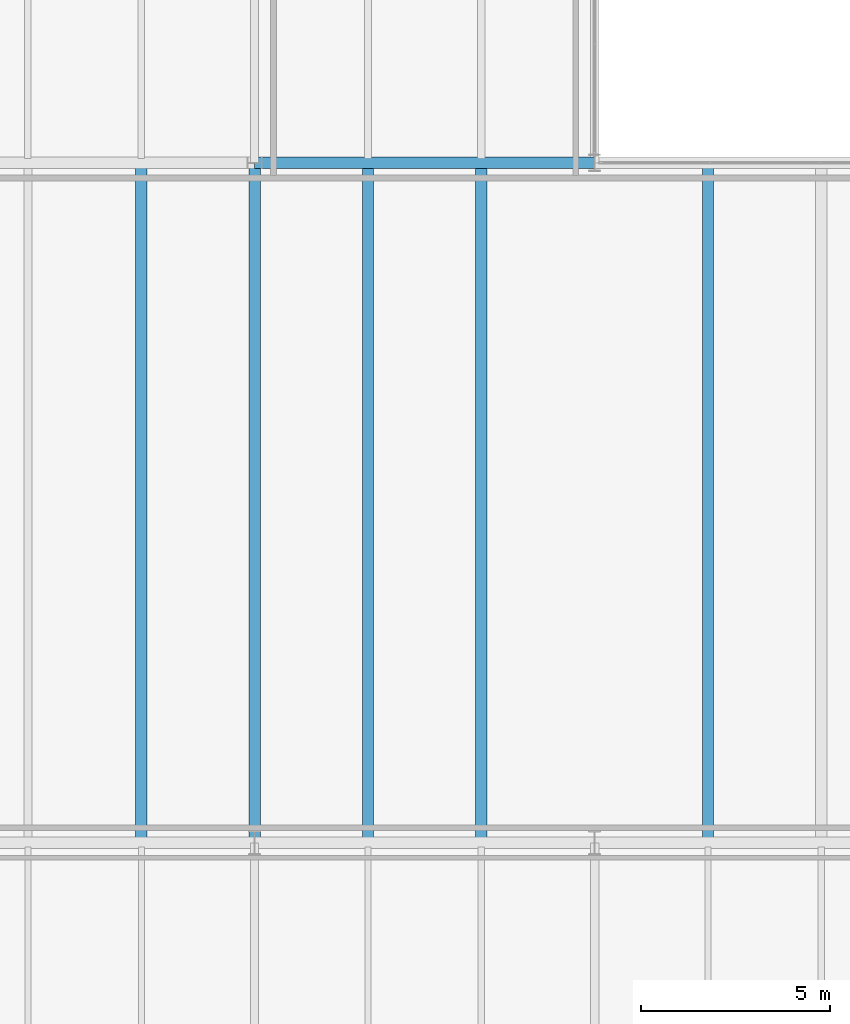
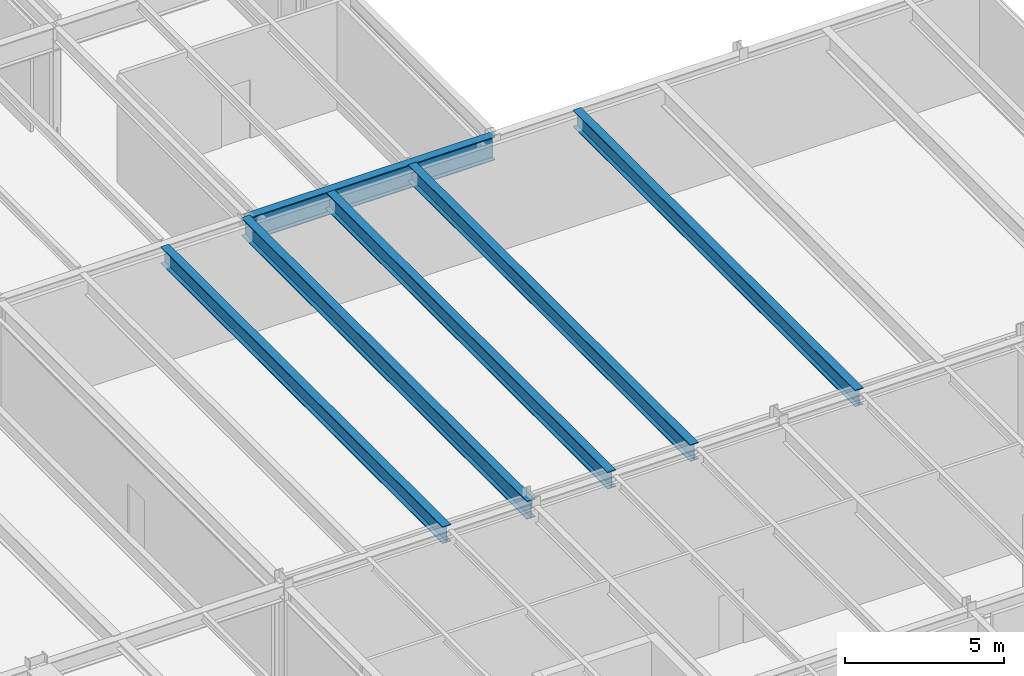
# One storey, part 44 of 115: 6 beams.
"""IFC4 building model written with IfcOpenShell, lengths in metres."""

from ifc_helpers import new_model, si_unit, direction, frame, origin, origin_2d, place, context, subcontext, project, spatial, i_section, extrude, material, material_profile, profile_set, type_object, element, save


model = new_model("IFC4")

# Units and contexts
model_context = context("Model", 3, precision=1e-05, world=origin(), true_north=direction((0.0, 1.0)))
body_context = subcontext(model_context, "Body", "Model", "MODEL_VIEW")
ifc_project = project(units=[si_unit("LENGTHUNIT", "METRE"), si_unit("AREAUNIT", "SQUARE_METRE"), si_unit("VOLUMEUNIT", "CUBIC_METRE"), si_unit("PLANEANGLEUNIT", "RADIAN"), si_unit("MASSUNIT", "GRAM", prefix="KILO")], contexts=[model_context])

# Site, building, storey
site_placement = place(None, origin())
site = spatial("IfcSite", under=ifc_project, at=site_placement, CompositionType="ELEMENT")
building_placement = place(site_placement, origin())
building = spatial("IfcBuilding", under=site, at=building_placement, Name="Montelvaro Courts of Justice", CompositionType="ELEMENT")
storey_placement = place(building_placement, frame((0.0, 0.0, 9.89990234375)))
storey = spatial("IfcBuildingStorey", under=building, at=storey_placement, Name="L02", CompositionType="ELEMENT", Elevation=9.89990234375)

# Beams
ifc_material = material(Name="Steel S355", Category="steel")
ifc_material_profile_1 = material_profile(ifc_material, i_section(OverallWidth=0.300048828125, OverallDepth=0.639892578125, WebThickness=0.013427734375, FlangeThickness=0.02587890625, at=origin_2d()), Name="HEA 650")
ifc_profile_set_1 = profile_set([ifc_material_profile_1], Name="Steel S355")
beam_type_1 = type_object("IfcBeamType", Name="Beam_HEA650", PredefinedType="USERDEFINED", material=ifc_profile_set_1)
for number, where, z_axis, x_axis, name in (
    (1, (123.0, 24.110107421875, 3.880126953125), (0.0, 1.0, 0.0), (-1.0, 0.0, 0.0), "Beam B-22 L02"),
    (2, (129.0, 24.110107421875, 3.880126953125), (0.0, 1.0, 0.0), (-1.0, 0.0, 0.0), "Beam B-22 L02"),
):
    element("IfcBeam", number, at=place(storey_placement, frame(where, z_axis=z_axis, x_axis=x_axis)), inside=storey, type_object=beam_type_1, Name=name, ObjectType="GIRDER", PredefinedType="USERDEFINED", context=body_context, shape_type="SweptSolid", body=[
        extrude(i_section(OverallWidth=0.300048828125, OverallDepth=0.639892578125, WebThickness=0.013427734375, FlangeThickness=0.02587890625, at=origin_2d()), origin(), (0.0, 0.0, 1.0), 17.77978515625),
    ])
ifc_material_profile_2 = material_profile(ifc_material, i_section(OverallWidth=0.300048828125, OverallDepth=0.64990234375, WebThickness=0.01611328125, FlangeThickness=0.031005859375, at=origin_2d()), Name="HEB 650")
ifc_profile_set_2 = profile_set([ifc_material_profile_2], Name="Steel S355")
beam_type_2 = type_object("IfcBeamType", Name="Beam_HEB650", PredefinedType="USERDEFINED", material=ifc_profile_set_2)
for number, where, z_axis, x_axis, name in (
    (3, (114.0, 24.110107421875, 3.875), (0.0, 1.0, 0.0), (-1.0, 0.0, 0.0), "Beam B-27 L02"),
    (4, (120.0, 24.110107421875, 3.875), (0.0, 1.0, 0.0), (-1.0, 0.0, 0.0), "Beam B-27 L02"),
):
    element("IfcBeam", number, at=place(storey_placement, frame(where, z_axis=z_axis, x_axis=x_axis)), inside=storey, type_object=beam_type_2, Name=name, ObjectType="GIRDER", PredefinedType="USERDEFINED", context=body_context, shape_type="SweptSolid", body=[
        extrude(i_section(OverallWidth=0.300048828125, OverallDepth=0.64990234375, WebThickness=0.01611328125, FlangeThickness=0.031005859375, at=origin_2d()), origin(), (0.0, 0.0, 1.0), 17.77978515625),
    ])
ifc_material_profile_3 = material_profile(ifc_material, i_section(OverallWidth=0.300048828125, OverallDepth=0.699951171875, WebThickness=0.01708984375, FlangeThickness=0.031982421875, at=origin_2d()), Name="HEB 700")
ifc_profile_set_3 = profile_set([ifc_material_profile_3], Name="Steel S355")
beam_type_3 = type_object("IfcBeamType", Name="Beam_HEB700", PredefinedType="USERDEFINED", material=ifc_profile_set_3)
beam_1_placement = place(storey_placement, frame((117.0, 24.0, 3.85009765625), z_axis=(0.0, 1.0, 0.0), x_axis=(-1.0, 0.0, 0.0)))
element("IfcBeam", 5, at=beam_1_placement, inside=storey, type_object=beam_type_3, Name="Beam B-28 L02", ObjectType="GIRDER", PredefinedType="USERDEFINED", context=body_context, shape_type="SweptSolid", body=[
    extrude(i_section(OverallWidth=0.300048828125, OverallDepth=0.699951171875, WebThickness=0.01708984375, FlangeThickness=0.031982421875, at=origin_2d()), origin(), (0.0, 0.0, 1.0), 18.0),
])
ifc_material_profile_4 = material_profile(ifc_material, i_section(OverallWidth=0.300048828125, OverallDepth=0.89990234375, WebThickness=0.0185546875, FlangeThickness=0.034912109375, at=origin_2d()), Name="HEB 900")
ifc_profile_set_4 = profile_set([ifc_material_profile_4], Name="Steel S355")
beam_type_4 = type_object("IfcBeamType", Name="Beam_HEB900", PredefinedType="USERDEFINED", material=ifc_profile_set_4)
beam_2_placement = place(storey_placement, frame((117.0, 42.0, 3.75), z_axis=(1.0, 0.0, 0.0), x_axis=(0.0, 1.0, 0.0)))
element("IfcBeam", 6, at=beam_2_placement, inside=storey, type_object=beam_type_4, Name="Beam B-30 L02", ObjectType="GIRDER", PredefinedType="USERDEFINED", context=body_context, shape_type="SweptSolid", body=[
    extrude(i_section(OverallWidth=0.300048828125, OverallDepth=0.89990234375, WebThickness=0.0185546875, FlangeThickness=0.034912109375, at=origin_2d()), origin(), (0.0, 0.0, 1.0), 9.0),
])

save(model, "model.ifc")
